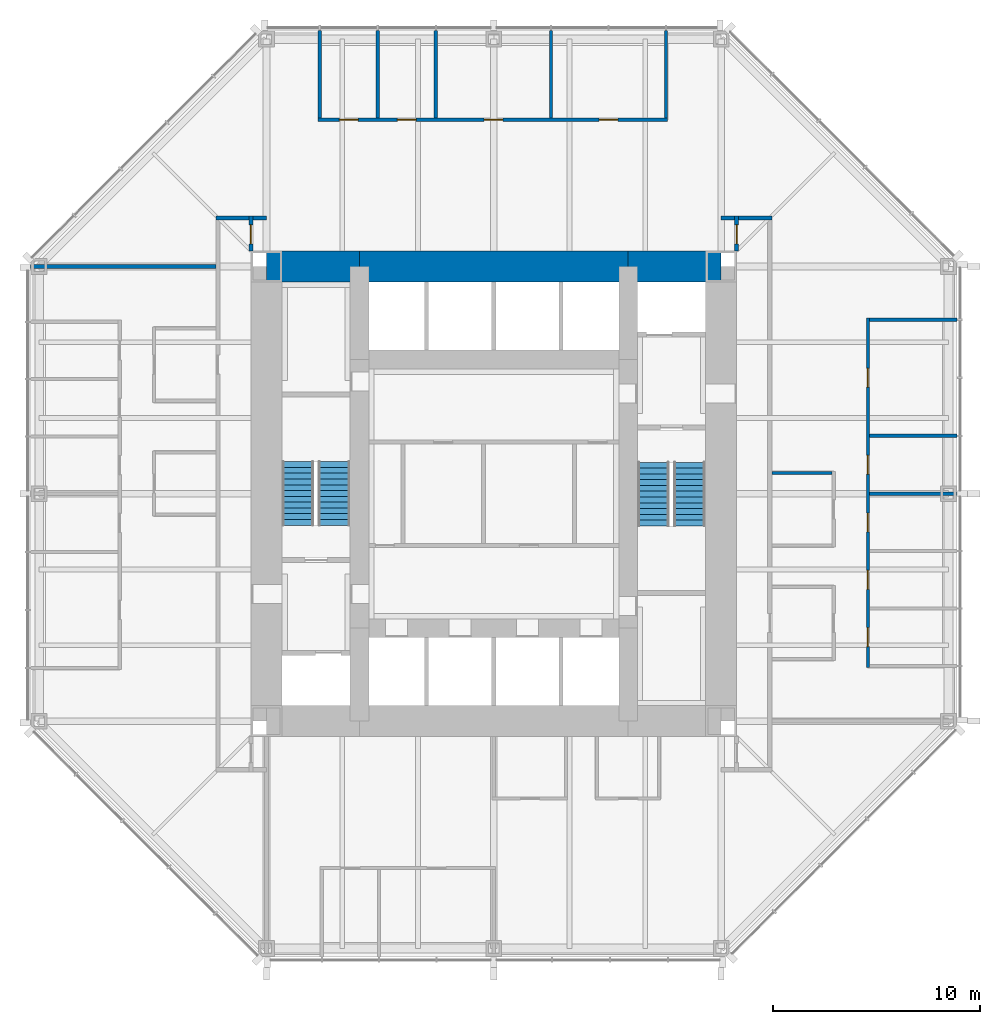
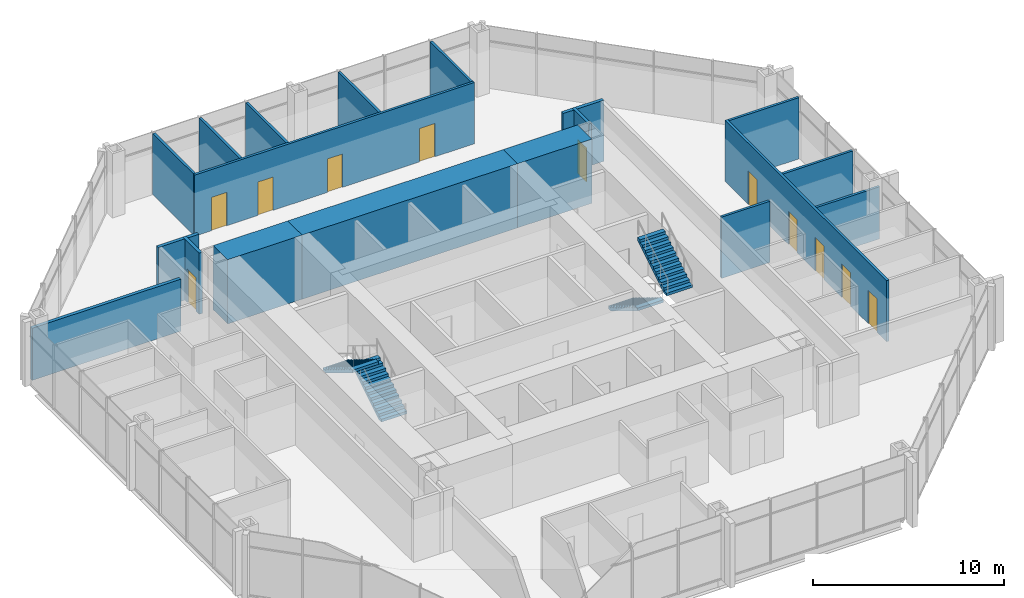
# One storey, part 11 of 12: 19 walls, 11 doors, 4 stair flights, 11 openings, 2 elements without a shape of their own.
"""IFC4 building model written with IfcOpenShell, lengths in metres."""

from ifc_helpers import new_model, si_unit, direction, frame, frame_2d, origin, place, context, subcontext, project, spatial, polyline, rectangle, outline, extrude, material, layer, layer_set, type_object, element, fill, aggregate, save


model = new_model("IFC4")

# Units and contexts
model_context = context("Model", 3, precision=1e-05, world=origin(), true_north=direction((0.0, 1.0)))
body_context = subcontext(model_context, "Body", "Model", "MODEL_VIEW")
ifc_project = project(units=[si_unit("LENGTHUNIT", "METRE"), si_unit("AREAUNIT", "SQUARE_METRE"), si_unit("VOLUMEUNIT", "CUBIC_METRE"), si_unit("PLANEANGLEUNIT", "RADIAN"), si_unit("MASSUNIT", "GRAM", prefix="KILO")], contexts=[model_context])

# Site, building, storey
site_placement = place(None, origin())
site = spatial("IfcSite", under=ifc_project, at=site_placement, CompositionType="ELEMENT")
building_placement = place(site_placement, origin())
building = spatial("IfcBuilding", under=site, at=building_placement, Name="Trevanion Tower", CompositionType="ELEMENT")
storey_placement = place(building_placement, frame((0.0, 0.0, 117.199951171875)))
storey = spatial("IfcBuildingStorey", under=building, at=storey_placement, Name="L27", CompositionType="ELEMENT", Elevation=117.199951171875)

# Walls
ifc_material_1 = material(Name="Concrete 10,000 psi", Category="concrete")
ifc_layer_1 = layer(ifc_material_1, 1.5)
ifc_layer_set_1 = layer_set([ifc_layer_1], Name="CW1 core wall 1500")
wall_type_1 = type_object("IfcWallType", Name="CW1 core wall 1500", PredefinedType="SHEAR", material=ifc_layer_set_1)
wall_1_placement = place(storey_placement, frame((11.0, 11.0, 0.0), z_axis=(0.0, 0.0, 1.0), x_axis=(-1.0, 0.0, 0.0)))
element("IfcWall", 1, at=wall_1_placement, inside=storey, type_object=wall_type_1, Name="CW1 CN1 L27", PredefinedType="SHEAR", context=body_context, shape_type="SweptSolid", body=[
    extrude(rectangle(XDim=4.5, YDim=1.5, at=frame_2d((2.25, 0.0))), origin(), (0.0, 0.0, 1.0), 4.10009765625),
])
wall_2_placement = place(storey_placement, frame((6.5, 11.0, 0.0), z_axis=(0.0, 0.0, 1.0), x_axis=(-1.0, 0.0, 0.0)))
element("IfcWall", 2, at=wall_2_placement, inside=storey, type_object=wall_type_1, Name="CW1 CN2 L27", PredefinedType="SHEAR", context=body_context, shape_type="SweptSolid", body=[
    extrude(rectangle(XDim=13.0, YDim=1.5, at=frame_2d((6.5, 0.0))), origin(), (0.0, 0.0, 1.0), 4.10009765625),
])
wall_3_placement = place(storey_placement, frame((-6.5, 11.0, 0.0), z_axis=(0.0, 0.0, 1.0), x_axis=(-1.0, 0.0, 0.0)))
element("IfcWall", 3, at=wall_3_placement, inside=storey, type_object=wall_type_1, Name="CW1 CN3 L27", PredefinedType="SHEAR", context=body_context, shape_type="SweptSolid", body=[
    extrude(rectangle(XDim=4.5, YDim=1.5, at=frame_2d((2.25, 0.0))), origin(), (0.0, 0.0, 1.0), 4.10009765625),
])

# Wall, openings, doors
ifc_material_2 = material(Name="Gypsum board on steel studs", Category="steel")
ifc_layer_2 = layer(ifc_material_2, 0.14990234375)
ifc_layer_set_2 = layer_set([ifc_layer_2], Name="PT1 partition 150")
wall_type_2 = type_object("IfcWallType", Name="PT1 partition 150", PredefinedType="PARTITIONING", material=ifc_layer_set_2)
wall_4_placement = place(storey_placement, frame((18.10009765625, -8.39794921875, 0.0), z_axis=(0.0, 0.0, 1.0), x_axis=(0.0, 1.0, 0.0)))
wall_4 = element("IfcWall", 4, at=wall_4_placement, inside=storey, type_object=wall_type_2, Name="PT1 L27 FC0F", PredefinedType="PARTITIONING", context=body_context, shape_type="SweptSolid", body=[
    extrude(rectangle(XDim=16.89404296875, YDim=0.14990234375, at=frame_2d((8.447021484375, 0.0))), origin(), (0.0, 0.0, 1.0), 3.91015625),
])
opening_1_placement = place(wall_4_placement, frame((1.00439453125, 0.0, 0.0)))
opening_1 = element("IfcOpeningElement", 5, at=opening_1_placement, cuts=wall_4, Name="Opening 27-023", PredefinedType="OPENING", context=body_context, shape_type="SweptSolid", body=[
    extrude(rectangle(XDim=0.9150390625, YDim=2.134033203125, at=frame_2d((0.45751953125, 1.06689453125))), frame((0.0, 0.0849609375, 0.0), z_axis=(0.0, -1.0, 0.0), x_axis=(1.0, 0.0, 0.0)), (0.0, 0.0, 1.0), 0.169921875),
])
opening_2_placement = place(wall_4_placement, frame((3.778564453125, 0.0, 0.0)))
opening_2 = element("IfcOpeningElement", 6, at=opening_2_placement, cuts=wall_4, Name="Opening 27-024", PredefinedType="OPENING", context=body_context, shape_type="SweptSolid", body=[
    extrude(rectangle(XDim=0.9150390625, YDim=2.134033203125, at=frame_2d((0.45751953125, 1.06689453125))), frame((0.0, 0.0849609375, 0.0), z_axis=(0.0, -1.0, 0.0), x_axis=(1.0, 0.0, 0.0)), (0.0, 0.0, 1.0), 0.169921875),
])
opening_3_placement = place(wall_4_placement, frame((6.552978515625, 0.0, 0.0)))
opening_3 = element("IfcOpeningElement", 7, at=opening_3_placement, cuts=wall_4, Name="Opening 27-025", PredefinedType="OPENING", context=body_context, shape_type="SweptSolid", body=[
    extrude(rectangle(XDim=0.9150390625, YDim=2.134033203125, at=frame_2d((0.45751953125, 1.06689453125))), frame((0.0, 0.0849609375, 0.0), z_axis=(0.0, -1.0, 0.0), x_axis=(1.0, 0.0, 0.0)), (0.0, 0.0, 1.0), 0.169921875),
])
opening_4_placement = place(wall_4_placement, frame((9.343994140625, 0.0, 0.0)))
opening_4 = element("IfcOpeningElement", 8, at=opening_4_placement, cuts=wall_4, Name="Opening 27-026", PredefinedType="OPENING", context=body_context, shape_type="SweptSolid", body=[
    extrude(rectangle(XDim=0.9150390625, YDim=2.134033203125, at=frame_2d((0.45751953125, 1.06689453125))), frame((0.0, 0.0849609375, 0.0), z_axis=(0.0, -1.0, 0.0), x_axis=(1.0, 0.0, 0.0)), (0.0, 0.0, 1.0), 0.169921875),
])
opening_5_placement = place(wall_4_placement, frame((13.554443359375, 0.0, 0.0)))
opening_5 = element("IfcOpeningElement", 9, at=opening_5_placement, cuts=wall_4, Name="Opening 27-027", PredefinedType="OPENING", context=body_context, shape_type="SweptSolid", body=[
    extrude(rectangle(XDim=0.9150390625, YDim=2.134033203125, at=frame_2d((0.45751953125, 1.06689453125))), frame((0.0, 0.0849609375, 0.0), z_axis=(0.0, -1.0, 0.0), x_axis=(1.0, 0.0, 0.0)), (0.0, 0.0, 1.0), 0.169921875),
])
ifc_material_3 = material(Name="Timber veneer, solid core", Category="wood")
door_type_1 = type_object("IfcDoorType", Name="D1 office and meeting room door", OperationType="SINGLE_SWING_LEFT", PredefinedType="DOOR", material=ifc_material_3)
door_1_placement = place(opening_1_placement, origin())
door_1 = element("IfcDoor", 10, at=door_1_placement, inside=storey, type_object=door_type_1, Name="Door 27-023", OperationType="SINGLE_SWING_LEFT", OverallHeight=2.134033203125, OverallWidth=0.9150390625, PredefinedType="DOOR", context=body_context, shape_type="SweptSolid", body=[
    extrude(rectangle(XDim=0.9150390625, YDim=2.134033203125, at=frame_2d((0.45751953125, 1.06689453125))), frame((0.0, 0.02490234375, 0.0), z_axis=(0.0, -1.0, 0.0), x_axis=(1.0, 0.0, 0.0)), (0.0, 0.0, 1.0), 0.050048828125),
])
fill(opening_1, door_1)
door_2_placement = place(opening_2_placement, origin())
door_2 = element("IfcDoor", 11, at=door_2_placement, inside=storey, type_object=door_type_1, Name="Door 27-024", OperationType="SINGLE_SWING_LEFT", OverallHeight=2.134033203125, OverallWidth=0.9150390625, PredefinedType="DOOR", context=body_context, shape_type="SweptSolid", body=[
    extrude(rectangle(XDim=0.9150390625, YDim=2.134033203125, at=frame_2d((0.45751953125, 1.06689453125))), frame((0.0, 0.02490234375, 0.0), z_axis=(0.0, -1.0, 0.0), x_axis=(1.0, 0.0, 0.0)), (0.0, 0.0, 1.0), 0.050048828125),
])
fill(opening_2, door_2)
door_3_placement = place(opening_3_placement, origin())
door_3 = element("IfcDoor", 12, at=door_3_placement, inside=storey, type_object=door_type_1, Name="Door 27-025", OperationType="SINGLE_SWING_LEFT", OverallHeight=2.134033203125, OverallWidth=0.9150390625, PredefinedType="DOOR", context=body_context, shape_type="SweptSolid", body=[
    extrude(rectangle(XDim=0.9150390625, YDim=2.134033203125, at=frame_2d((0.45751953125, 1.06689453125))), frame((0.0, 0.02490234375, 0.0), z_axis=(0.0, -1.0, 0.0), x_axis=(1.0, 0.0, 0.0)), (0.0, 0.0, 1.0), 0.050048828125),
])
fill(opening_3, door_3)
door_4_placement = place(opening_4_placement, origin())
door_4 = element("IfcDoor", 13, at=door_4_placement, inside=storey, type_object=door_type_1, Name="Door 27-026", OperationType="SINGLE_SWING_LEFT", OverallHeight=2.134033203125, OverallWidth=0.9150390625, PredefinedType="DOOR", context=body_context, shape_type="SweptSolid", body=[
    extrude(rectangle(XDim=0.9150390625, YDim=2.134033203125, at=frame_2d((0.45751953125, 1.06689453125))), frame((0.0, 0.02490234375, 0.0), z_axis=(0.0, -1.0, 0.0), x_axis=(1.0, 0.0, 0.0)), (0.0, 0.0, 1.0), 0.050048828125),
])
fill(opening_4, door_4)
door_5_placement = place(opening_5_placement, origin())
door_5 = element("IfcDoor", 14, at=door_5_placement, inside=storey, type_object=door_type_1, Name="Door 27-027", OperationType="SINGLE_SWING_LEFT", OverallHeight=2.134033203125, OverallWidth=0.9150390625, PredefinedType="DOOR", context=body_context, shape_type="SweptSolid", body=[
    extrude(rectangle(XDim=0.9150390625, YDim=2.134033203125, at=frame_2d((0.45751953125, 1.06689453125))), frame((0.0, 0.02490234375, 0.0), z_axis=(0.0, -1.0, 0.0), x_axis=(1.0, 0.0, 0.0)), (0.0, 0.0, 1.0), 0.050048828125),
])
fill(opening_5, door_5)

# Walls
wall_5_placement = place(storey_placement, frame((18.175048828125, 0.0, 0.0), z_axis=(0.0, 0.0, 1.0), x_axis=(1.0, 0.0, 0.0)))
element("IfcWall", 15, at=wall_5_placement, inside=storey, type_object=wall_type_2, Name="PT1 L27 FC0S3", PredefinedType="PARTITIONING", context=body_context, shape_type="SweptSolid", body=[
    extrude(rectangle(XDim=4.239990234375, YDim=0.14990234375, at=frame_2d((2.1201171875, 0.0))), origin(), (0.0, 0.0, 1.0), 3.325927734375),
])
for number, where, z_axis, x_axis, name in (
    (16, (18.175048828125, 2.806884765625, 0.0), (0.0, 0.0, 1.0), (1.0, 0.0, 0.0), "PT1 L27 FC0S4"),
    (17, (18.175048828125, 8.4208984375, 0.0), (0.0, 0.0, 1.0), (1.0, 0.0, 0.0), "PT1 L27 FC0S6"),
):
    element("IfcWall", number, at=place(storey_placement, frame(where, z_axis=z_axis, x_axis=x_axis)), inside=storey, type_object=wall_type_2, Name=name, PredefinedType="PARTITIONING", context=body_context, shape_type="SweptSolid", body=[
        extrude(rectangle(XDim=4.239990234375, YDim=0.14990234375, at=frame_2d((2.1201171875, 0.0))), origin(), (0.0, 0.0, 1.0), 3.91015625),
    ])

# Wall, openings, doors
wall_6_placement = place(storey_placement, frame((8.39794921875, 18.10009765625, 0.0), z_axis=(0.0, 0.0, 1.0), x_axis=(-1.0, 0.0, 0.0)))
wall_6 = element("IfcWall", 18, at=wall_6_placement, inside=storey, type_object=wall_type_2, Name="PT1 L27 FC1F", PredefinedType="PARTITIONING", context=body_context, shape_type="SweptSolid", body=[
    extrude(rectangle(XDim=16.89404296875, YDim=0.14990234375, at=frame_2d((8.447021484375, 0.0))), origin(), (0.0, 0.0, 1.0), 3.91015625),
])
opening_6_placement = place(wall_6_placement, frame((2.3916015625, 0.0, 0.0)))
opening_6 = element("IfcOpeningElement", 19, at=opening_6_placement, cuts=wall_6, Name="Opening 27-028", PredefinedType="OPENING", context=body_context, shape_type="SweptSolid", body=[
    extrude(rectangle(XDim=0.9150390625, YDim=2.134033203125, at=frame_2d((0.45751953125, 1.06689453125))), frame((0.0, 0.0849609375, 0.0), z_axis=(0.0, -1.0, 0.0), x_axis=(1.0, 0.0, 0.0)), (0.0, 0.0, 1.0), 0.169921875),
])
opening_7_placement = place(wall_6_placement, frame((7.95654296875, 0.0, 0.0)))
opening_7 = element("IfcOpeningElement", 20, at=opening_7_placement, cuts=wall_6, Name="Opening 27-029", PredefinedType="OPENING", context=body_context, shape_type="SweptSolid", body=[
    extrude(rectangle(XDim=0.9150390625, YDim=2.134033203125, at=frame_2d((0.45751953125, 1.06689453125))), frame((0.0, 0.0849609375, 0.0), z_axis=(0.0, -1.0, 0.0), x_axis=(1.0, 0.0, 0.0)), (0.0, 0.0, 1.0), 0.169921875),
])
opening_8_placement = place(wall_6_placement, frame((12.15087890625, 0.0, 0.0)))
opening_8 = element("IfcOpeningElement", 21, at=opening_8_placement, cuts=wall_6, Name="Opening 27-030", PredefinedType="OPENING", context=body_context, shape_type="SweptSolid", body=[
    extrude(rectangle(XDim=0.9150390625, YDim=2.134033203125, at=frame_2d((0.45751953125, 1.06689453125))), frame((0.0, 0.0849609375, 0.0), z_axis=(0.0, -1.0, 0.0), x_axis=(1.0, 0.0, 0.0)), (0.0, 0.0, 1.0), 0.169921875),
])
opening_9_placement = place(wall_6_placement, frame((14.9580078125, 0.0, 0.0)))
opening_9 = element("IfcOpeningElement", 22, at=opening_9_placement, cuts=wall_6, Name="Opening 27-031", PredefinedType="OPENING", context=body_context, shape_type="SweptSolid", body=[
    extrude(rectangle(XDim=0.9150390625, YDim=2.134033203125, at=frame_2d((0.45751953125, 1.06689453125))), frame((0.0, 0.0849609375, 0.0), z_axis=(0.0, -1.0, 0.0), x_axis=(1.0, 0.0, 0.0)), (0.0, 0.0, 1.0), 0.169921875),
])
door_6_placement = place(opening_6_placement, origin())
door_6 = element("IfcDoor", 23, at=door_6_placement, inside=storey, type_object=door_type_1, Name="Door 27-028", OperationType="SINGLE_SWING_LEFT", OverallHeight=2.134033203125, OverallWidth=0.9150390625, PredefinedType="DOOR", context=body_context, shape_type="SweptSolid", body=[
    extrude(rectangle(XDim=0.9150390625, YDim=2.134033203125, at=frame_2d((0.45751953125, 1.06689453125))), frame((0.0, 0.02490234375, 0.0), z_axis=(0.0, -1.0, 0.0), x_axis=(1.0, 0.0, 0.0)), (0.0, 0.0, 1.0), 0.050048828125),
])
fill(opening_6, door_6)
door_7_placement = place(opening_7_placement, origin())
door_7 = element("IfcDoor", 24, at=door_7_placement, inside=storey, type_object=door_type_1, Name="Door 27-029", OperationType="SINGLE_SWING_LEFT", OverallHeight=2.134033203125, OverallWidth=0.9150390625, PredefinedType="DOOR", context=body_context, shape_type="SweptSolid", body=[
    extrude(rectangle(XDim=0.9150390625, YDim=2.134033203125, at=frame_2d((0.45751953125, 1.06689453125))), frame((0.0, 0.02490234375, 0.0), z_axis=(0.0, -1.0, 0.0), x_axis=(1.0, 0.0, 0.0)), (0.0, 0.0, 1.0), 0.050048828125),
])
fill(opening_7, door_7)
door_8_placement = place(opening_8_placement, origin())
door_8 = element("IfcDoor", 25, at=door_8_placement, inside=storey, type_object=door_type_1, Name="Door 27-030", OperationType="SINGLE_SWING_LEFT", OverallHeight=2.134033203125, OverallWidth=0.9150390625, PredefinedType="DOOR", context=body_context, shape_type="SweptSolid", body=[
    extrude(rectangle(XDim=0.9150390625, YDim=2.134033203125, at=frame_2d((0.45751953125, 1.06689453125))), frame((0.0, 0.02490234375, 0.0), z_axis=(0.0, -1.0, 0.0), x_axis=(1.0, 0.0, 0.0)), (0.0, 0.0, 1.0), 0.050048828125),
])
fill(opening_8, door_8)
door_9_placement = place(opening_9_placement, origin())
door_9 = element("IfcDoor", 26, at=door_9_placement, inside=storey, type_object=door_type_1, Name="Door 27-031", OperationType="SINGLE_SWING_LEFT", OverallHeight=2.134033203125, OverallWidth=0.9150390625, PredefinedType="DOOR", context=body_context, shape_type="SweptSolid", body=[
    extrude(rectangle(XDim=0.9150390625, YDim=2.134033203125, at=frame_2d((0.45751953125, 1.06689453125))), frame((0.0, 0.02490234375, 0.0), z_axis=(0.0, -1.0, 0.0), x_axis=(1.0, 0.0, 0.0)), (0.0, 0.0, 1.0), 0.050048828125),
])
fill(opening_9, door_9)

# Walls
for number, where, z_axis, x_axis, name in (
    (27, (8.322998046875, 18.175048828125, 0.0), (0.0, 0.0, 1.0), (0.0, 1.0, 0.0), "PT1 L27 FC1S0"),
    (28, (2.77490234375, 18.175048828125, 0.0), (0.0, 0.0, 1.0), (0.0, 1.0, 0.0), "PT1 L27 FC1S2"),
    (29, (-2.806884765625, 18.175048828125, 0.0), (0.0, 0.0, 1.0), (0.0, 1.0, 0.0), "PT1 L27 FC1S4"),
    (30, (-5.614013671875, 18.175048828125, 0.0), (0.0, 0.0, 1.0), (0.0, 1.0, 0.0), "PT1 L27 FC1S5"),
    (31, (-8.4208984375, 18.175048828125, 0.0), (0.0, 0.0, 1.0), (0.0, 1.0, 0.0), "PT1 L27 FC1S6"),
):
    element("IfcWall", number, at=place(storey_placement, frame(where, z_axis=z_axis, x_axis=x_axis)), inside=storey, type_object=wall_type_2, Name=name, PredefinedType="PARTITIONING", context=body_context, shape_type="SweptSolid", body=[
        extrude(rectangle(XDim=4.239990234375, YDim=0.14990234375, at=frame_2d((2.1201171875, 0.0))), origin(), (0.0, 0.0, 1.0), 3.91015625),
    ])
wall_7_placement = place(storey_placement, frame((16.375, 1.0, 0.0), z_axis=(0.0, 0.0, 1.0), x_axis=(-1.0, 0.0, 0.0)))
element("IfcWall", 32, at=wall_7_placement, inside=storey, type_object=wall_type_2, Name="PT1 L27 IN01S1", PredefinedType="PARTITIONING", context=body_context, shape_type="SweptSolid", body=[
    extrude(rectangle(XDim=2.925048828125, YDim=0.14990234375, at=frame_2d((1.46240234375, 0.0))), origin(), (0.0, 0.0, 1.0), 3.91015625),
])

# Wall, opening, door
ifc_material_4 = material(Name="Concrete masonry, grouted", Category="masonry")
ifc_layer_3 = layer(ifc_material_4, 0.199951171875)
ifc_layer_set_3 = layer_set([ifc_layer_3], Name="PT2 partition 200 1 HR")
wall_type_3 = type_object("IfcWallType", Name="PT2 partition 200 1 HR", PredefinedType="PARTITIONING", material=ifc_layer_set_3)
wall_8_placement = place(storey_placement, frame((11.75, 11.75, 0.0), z_axis=(0.0, 0.0, 1.0), x_axis=(0.0, 1.0, 0.0)))
wall_8 = element("IfcWall", 33, at=wall_8_placement, inside=storey, type_object=wall_type_3, Name="PT2 L27 OUNE1", PredefinedType="PARTITIONING", context=body_context, shape_type="SweptSolid", body=[
    extrude(rectangle(XDim=1.699951171875, YDim=0.199951171875, at=frame_2d((0.85009765625, 0.0))), origin(), (0.0, 0.0, 1.0), 3.91015625),
])
opening_10_placement = place(wall_8_placement, frame((0.342529296875, 0.0, 0.0)))
opening_10 = element("IfcOpeningElement", 34, at=opening_10_placement, cuts=wall_8, Name="Opening 27-019", PredefinedType="OPENING", context=body_context, shape_type="SweptSolid", body=[
    extrude(rectangle(XDim=0.9150390625, YDim=2.134033203125, at=frame_2d((0.45751953125, 1.06689453125))), frame((0.0, 0.10986328125, 0.0), z_axis=(0.0, -1.0, 0.0), x_axis=(1.0, 0.0, 0.0)), (0.0, 0.0, 1.0), 0.219970703125),
])
ifc_material_5 = material(Name="Timber veneer, fire rated", Category="wood")
door_type_2 = type_object("IfcDoorType", Name="D10 office door in a one hour wall", OperationType="SINGLE_SWING_LEFT", PredefinedType="DOOR", material=ifc_material_5)
door_10_placement = place(opening_10_placement, origin())
door_10 = element("IfcDoor", 35, at=door_10_placement, inside=storey, type_object=door_type_2, Name="Door 27-019", OperationType="SINGLE_SWING_LEFT", OverallHeight=2.134033203125, OverallWidth=0.9150390625, PredefinedType="DOOR", context=body_context, shape_type="SweptSolid", body=[
    extrude(rectangle(XDim=0.9150390625, YDim=2.134033203125, at=frame_2d((0.45751953125, 1.06689453125))), frame((0.0, 0.02490234375, 0.0), z_axis=(0.0, -1.0, 0.0), x_axis=(1.0, 0.0, 0.0)), (0.0, 0.0, 1.0), 0.050048828125),
])
fill(opening_10, door_10)

# Wall
wall_9_placement = place(storey_placement, frame((11.0, 13.35009765625, 0.0), z_axis=(0.0, 0.0, 1.0), x_axis=(1.0, 0.0, 0.0)))
element("IfcWall", 36, at=wall_9_placement, inside=storey, type_object=wall_type_3, Name="PT2 L27 OUNE2", PredefinedType="PARTITIONING", context=body_context, shape_type="SweptSolid", body=[
    extrude(rectangle(XDim=2.449951171875, YDim=0.199951171875, at=frame_2d((1.22509765625, 0.0))), origin(), (0.0, 0.0, 1.0), 3.91015625),
])

# Wall, opening, door
wall_10_placement = place(storey_placement, frame((-11.75, 11.75, 0.0), z_axis=(0.0, 0.0, 1.0), x_axis=(0.0, 1.0, 0.0)))
wall_10 = element("IfcWall", 37, at=wall_10_placement, inside=storey, type_object=wall_type_3, Name="PT2 L27 OUNW1", PredefinedType="PARTITIONING", context=body_context, shape_type="SweptSolid", body=[
    extrude(rectangle(XDim=1.699951171875, YDim=0.199951171875, at=frame_2d((0.85009765625, 0.0))), origin(), (0.0, 0.0, 1.0), 3.91015625),
])
opening_11_placement = place(wall_10_placement, frame((0.342529296875, 0.0, 0.0)))
opening_11 = element("IfcOpeningElement", 38, at=opening_11_placement, cuts=wall_10, Name="Opening 27-020", PredefinedType="OPENING", context=body_context, shape_type="SweptSolid", body=[
    extrude(rectangle(XDim=0.9150390625, YDim=2.134033203125, at=frame_2d((0.45751953125, 1.06689453125))), frame((0.0, 0.10986328125, 0.0), z_axis=(0.0, -1.0, 0.0), x_axis=(1.0, 0.0, 0.0)), (0.0, 0.0, 1.0), 0.219970703125),
])
door_11_placement = place(opening_11_placement, origin())
door_11 = element("IfcDoor", 39, at=door_11_placement, inside=storey, type_object=door_type_2, Name="Door 27-020", OperationType="SINGLE_SWING_LEFT", OverallHeight=2.134033203125, OverallWidth=0.9150390625, PredefinedType="DOOR", context=body_context, shape_type="SweptSolid", body=[
    extrude(rectangle(XDim=0.9150390625, YDim=2.134033203125, at=frame_2d((0.45751953125, 1.06689453125))), frame((0.0, 0.02490234375, 0.0), z_axis=(0.0, -1.0, 0.0), x_axis=(1.0, 0.0, 0.0)), (0.0, 0.0, 1.0), 0.050048828125),
])
fill(opening_11, door_11)

# Walls
wall_11_placement = place(storey_placement, frame((-11.0, 13.35009765625, 0.0), z_axis=(0.0, 0.0, 1.0), x_axis=(-1.0, 0.0, 0.0)))
element("IfcWall", 40, at=wall_11_placement, inside=storey, type_object=wall_type_3, Name="PT2 L27 OUNW2", PredefinedType="PARTITIONING", context=body_context, shape_type="SweptSolid", body=[
    extrude(rectangle(XDim=2.449951171875, YDim=0.199951171875, at=frame_2d((1.22509765625, 0.0))), origin(), (0.0, 0.0, 1.0), 3.91015625),
])
wall_12_placement = place(storey_placement, frame((-13.449951171875, 11.0, 0.0), z_axis=(0.0, 0.0, 1.0), x_axis=(-1.0, 0.0, 0.0)))
element("IfcWall", 41, at=wall_12_placement, inside=storey, type_object=wall_type_3, Name="PT2 L27 DM1", PredefinedType="PARTITIONING", context=body_context, shape_type="SweptSolid", body=[
    extrude(rectangle(XDim=8.965087890625, YDim=0.199951171875, at=frame_2d((4.482421875, 0.0))), origin(), (0.0, 0.0, 1.0), 3.325927734375),
])

# Stair, stair flights
ifc_material_6 = material(Name="Concrete 5,000 psi on steel stringers", Category="concrete")
stair_type = type_object("IfcStairType", Name="ST stair", PredefinedType="HALF_TURN_STAIR", material=ifc_material_6)
stair_1_placement = place(storey_placement, origin())
stair_1 = element("IfcStair", 42, at=stair_1_placement, inside=storey, type_object=stair_type, Name="ST1 L27", PredefinedType="HALF_TURN_STAIR")
ifc_material_7 = material(Name="Concrete 5,000 psi in steel pan", Category="concrete")
stair_flight_type = type_object("IfcStairFlightType", Name="STF stair flight", PredefinedType="STRAIGHT", material=ifc_material_7)
stair_flight_1_placement = place(storey_placement, frame((7.72509765625, 1.52490234375, 0.0), z_axis=(0.0, 0.0, 1.0), x_axis=(0.0, -1.0, 0.0)))
stair_flight_1 = element("IfcStairFlight", 43, at=stair_flight_1_placement, type_object=stair_flight_type, Name="ST1 flight 1", NumberOfRisers=12, NumberOfTreads=11, PredefinedType="STRAIGHT", RiserHeight=0.170833333, TreadLength=0.28, context=body_context, shape_type="SweptSolid", body=[
    extrude(outline(polyline([(0.0, 0.0), (0.0, 0.1708984375), (0.280029296875, 0.1708984375), (0.280029296875, 0.341552734375), (0.56005859375, 0.341552734375), (0.56005859375, 0.512451171875), (0.840087890625, 0.512451171875), (0.840087890625, 0.683349609375), (1.1201171875, 0.683349609375), (1.1201171875, 0.854248046875), (1.39990234375, 0.854248046875), (1.39990234375, 1.02490234375), (1.679931640625, 1.02490234375), (1.679931640625, 1.19580078125), (1.9599609375, 1.19580078125), (1.9599609375, 1.36669921875), (2.239990234375, 1.36669921875), (2.239990234375, 1.53759765625), (2.52001953125, 1.53759765625), (2.52001953125, 1.708251953125), (2.800048828125, 1.708251953125), (2.800048828125, 1.879150390625), (3.080078125, 1.879150390625), (3.080078125, 2.050048828125), (3.080078125, 1.70361328125), (0.287841796875, 0.0), (0.0, 0.0)])), frame((0.0, 0.77490234375, 0.0), z_axis=(0.0, -1.0, 0.0), x_axis=(1.0, 0.0, 0.0)), (0.0, 0.0, 1.0), 1.550048828125),
])
stair_flight_2_placement = place(storey_placement, frame((9.47509765625, -1.554931640625, 2.050048828125), z_axis=(0.0, 0.0, 1.0), x_axis=(0.0, 1.0, 0.0)))
stair_flight_2 = element("IfcStairFlight", 44, at=stair_flight_2_placement, type_object=stair_flight_type, Name="ST1 flight 2", NumberOfRisers=12, NumberOfTreads=11, PredefinedType="STRAIGHT", RiserHeight=0.170833333, TreadLength=0.28, context=body_context, shape_type="SweptSolid", body=[
    extrude(outline(polyline([(0.0, 0.0), (0.0, 0.1708984375), (0.280029296875, 0.1708984375), (0.280029296875, 0.341552734375), (0.56005859375, 0.341552734375), (0.56005859375, 0.512451171875), (0.840087890625, 0.512451171875), (0.840087890625, 0.683349609375), (1.1201171875, 0.683349609375), (1.1201171875, 0.854248046875), (1.39990234375, 0.854248046875), (1.39990234375, 1.02490234375), (1.679931640625, 1.02490234375), (1.679931640625, 1.19580078125), (1.9599609375, 1.19580078125), (1.9599609375, 1.36669921875), (2.239990234375, 1.36669921875), (2.239990234375, 1.53759765625), (2.52001953125, 1.53759765625), (2.52001953125, 1.708251953125), (2.800048828125, 1.708251953125), (2.800048828125, 1.879150390625), (3.080078125, 1.879150390625), (3.080078125, 2.050048828125), (3.080078125, 1.70361328125), (0.287841796875, 0.0), (0.0, 0.0)])), frame((0.0, 0.77490234375, 0.0), z_axis=(0.0, -1.0, 0.0), x_axis=(1.0, 0.0, 0.0)), (0.0, 0.0, 1.0), 1.550048828125),
])
aggregate(stair_1, [stair_flight_1, stair_flight_2])

stair_2_placement = place(storey_placement, origin())
stair_2 = element("IfcStair", 45, at=stair_2_placement, inside=storey, type_object=stair_type, Name="ST2 L27", PredefinedType="HALF_TURN_STAIR")
stair_flight_3_placement = place(storey_placement, frame((-7.72509765625, -1.52490234375, 0.0), z_axis=(0.0, 0.0, 1.0), x_axis=(0.0, 1.0, 0.0)))
stair_flight_3 = element("IfcStairFlight", 46, at=stair_flight_3_placement, type_object=stair_flight_type, Name="ST2 flight 1", NumberOfRisers=12, NumberOfTreads=11, PredefinedType="STRAIGHT", RiserHeight=0.170833333, TreadLength=0.28, context=body_context, shape_type="SweptSolid", body=[
    extrude(outline(polyline([(0.0, 0.0), (0.0, 0.1708984375), (0.280029296875, 0.1708984375), (0.280029296875, 0.341552734375), (0.56005859375, 0.341552734375), (0.56005859375, 0.512451171875), (0.840087890625, 0.512451171875), (0.840087890625, 0.683349609375), (1.1201171875, 0.683349609375), (1.1201171875, 0.854248046875), (1.39990234375, 0.854248046875), (1.39990234375, 1.02490234375), (1.679931640625, 1.02490234375), (1.679931640625, 1.19580078125), (1.9599609375, 1.19580078125), (1.9599609375, 1.36669921875), (2.239990234375, 1.36669921875), (2.239990234375, 1.53759765625), (2.52001953125, 1.53759765625), (2.52001953125, 1.708251953125), (2.800048828125, 1.708251953125), (2.800048828125, 1.879150390625), (3.080078125, 1.879150390625), (3.080078125, 2.050048828125), (3.080078125, 1.70361328125), (0.287841796875, 0.0), (0.0, 0.0)])), frame((0.0, 0.77490234375, 0.0), z_axis=(0.0, -1.0, 0.0), x_axis=(1.0, 0.0, 0.0)), (0.0, 0.0, 1.0), 1.550048828125),
])
stair_flight_4_placement = place(storey_placement, frame((-9.47509765625, 1.554931640625, 2.050048828125), z_axis=(0.0, 0.0, 1.0), x_axis=(0.0, -1.0, 0.0)))
stair_flight_4 = element("IfcStairFlight", 47, at=stair_flight_4_placement, type_object=stair_flight_type, Name="ST2 flight 2", NumberOfRisers=12, NumberOfTreads=11, PredefinedType="STRAIGHT", RiserHeight=0.170833333, TreadLength=0.28, context=body_context, shape_type="SweptSolid", body=[
    extrude(outline(polyline([(0.0, 0.0), (0.0, 0.1708984375), (0.280029296875, 0.1708984375), (0.280029296875, 0.341552734375), (0.56005859375, 0.341552734375), (0.56005859375, 0.512451171875), (0.840087890625, 0.512451171875), (0.840087890625, 0.683349609375), (1.1201171875, 0.683349609375), (1.1201171875, 0.854248046875), (1.39990234375, 0.854248046875), (1.39990234375, 1.02490234375), (1.679931640625, 1.02490234375), (1.679931640625, 1.19580078125), (1.9599609375, 1.19580078125), (1.9599609375, 1.36669921875), (2.239990234375, 1.36669921875), (2.239990234375, 1.53759765625), (2.52001953125, 1.53759765625), (2.52001953125, 1.708251953125), (2.800048828125, 1.708251953125), (2.800048828125, 1.879150390625), (3.080078125, 1.879150390625), (3.080078125, 2.050048828125), (3.080078125, 1.70361328125), (0.287841796875, 0.0), (0.0, 0.0)])), frame((0.0, 0.77490234375, 0.0), z_axis=(0.0, -1.0, 0.0), x_axis=(1.0, 0.0, 0.0)), (0.0, 0.0, 1.0), 1.550048828125),
])
aggregate(stair_2, [stair_flight_3, stair_flight_4])

save(model, "model.ifc")
